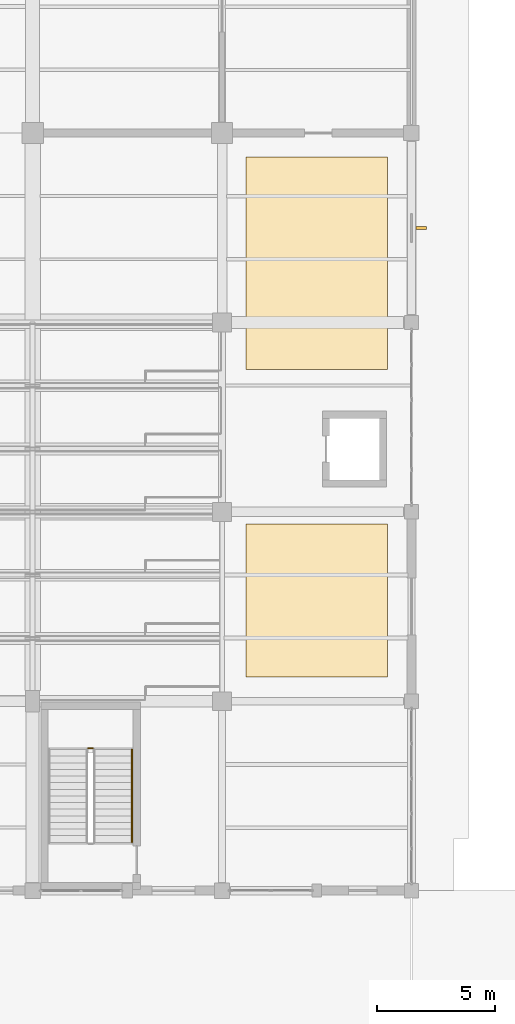
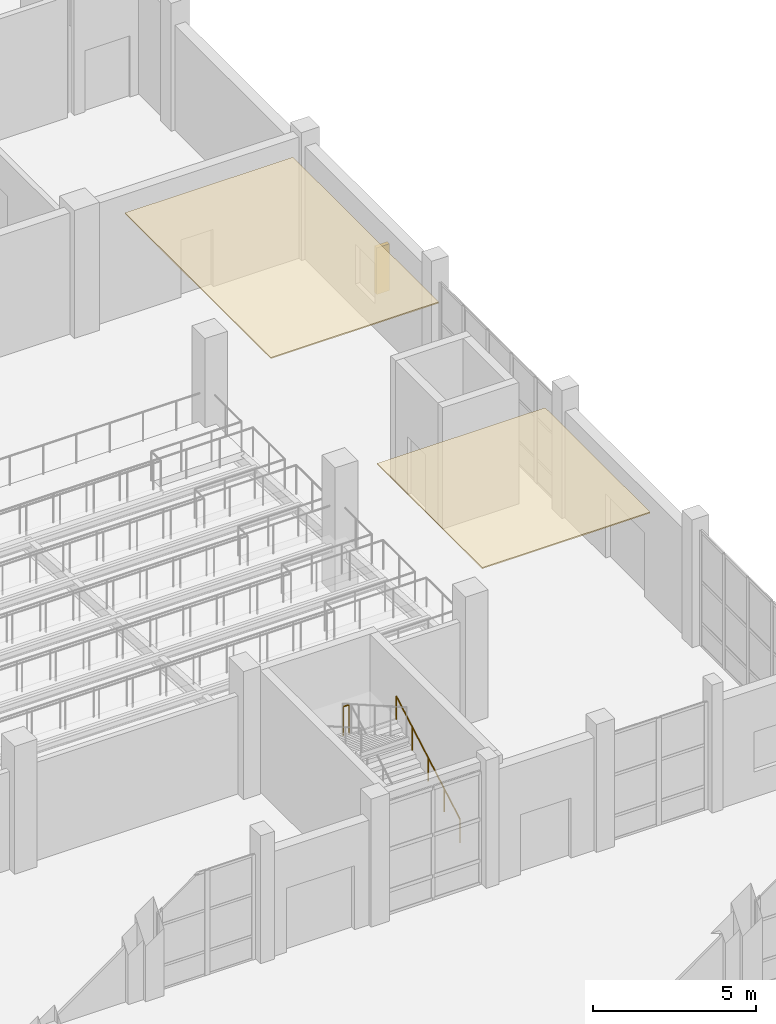
# One storey, part 141 of 156: 2 coverings, 2 railings, 1 shading device.
"""IFC4 building model written with IfcOpenShell, lengths in metres."""

from ifc_helpers import new_model, si_unit, direction, frame, origin, origin_2d, place, context, subcontext, project, spatial, polyline, rectangle, circle, outline, extrude, material, layer, layer_set, type_object, element, save


model = new_model("IFC4")

# Units and contexts
model_context = context("Model", 3, precision=1e-05, world=origin(), true_north=direction((0.0, 1.0)))
body_context = subcontext(model_context, "Body", "Model", "MODEL_VIEW")
ifc_project = project(units=[si_unit("LENGTHUNIT", "METRE"), si_unit("AREAUNIT", "SQUARE_METRE"), si_unit("VOLUMEUNIT", "CUBIC_METRE"), si_unit("PLANEANGLEUNIT", "RADIAN"), si_unit("MASSUNIT", "GRAM", prefix="KILO")], contexts=[model_context])

# Site, building, storey
site_placement = place(None, origin())
site = spatial("IfcSite", under=ifc_project, at=site_placement, CompositionType="ELEMENT")
building_placement = place(site_placement, origin())
building = spatial("IfcBuilding", under=site, at=building_placement, Name="Luwemba Playhouse", CompositionType="ELEMENT")
storey_placement = place(building_placement, origin())
storey = spatial("IfcBuildingStorey", under=building, at=storey_placement, Name="L00", CompositionType="ELEMENT", Elevation=0.0)

# Coverings
ifc_material_1 = material(Name="Perforated acoustic gypsum and timber baffle ceiling", Category="wood")
ifc_layer = layer(ifc_material_1, 0.044921875)
ifc_layer_set = layer_set([ifc_layer], Name="Perforated acoustic gypsum and timber baffle ceiling")
covering_type = type_object("IfcCoveringType", Name="COV-CEIL-AC", PredefinedType="CEILING", material=ifc_layer_set)
covering_1_placement = place(storey_placement, frame((0.0, 0.0, 4.5048828125)))
element("IfcCovering", 1, at=covering_1_placement, inside=storey, type_object=covering_type, Name="L00 Stalls Cloister Interval Bar acoustic ceiling cloud", PredefinedType="CEILING", context=body_context, shape_type="SweptSolid", body=[
    extrude(outline(polyline([(45.02001953125, 45.02001953125), (50.97998046875, 45.02001953125), (50.97998046875, 51.47998046875), (45.02001953125, 51.47998046875), (45.02001953125, 45.02001953125)])), origin(), (0.0, 0.0, 1.0), 0.045166015625),
])
covering_2_placement = place(storey_placement, frame((0.0, 0.0, 4.5048828125)))
element("IfcCovering", 2, at=covering_2_placement, inside=storey, type_object=covering_type, Name="L00 Stalls Sound Mixing Position acoustic ceiling cloud", PredefinedType="CEILING", context=body_context, shape_type="SweptSolid", body=[
    extrude(outline(polyline([(45.02001953125, 58.02001953125), (50.97998046875, 58.02001953125), (50.97998046875, 66.97998046875), (45.02001953125, 66.97998046875), (45.02001953125, 58.02001953125)])), origin(), (0.0, 0.0, 1.0), 0.045166015625),
])

# Railings
ifc_material_2 = material(Name="Painted wrought-iron gallery balustrade", Category="steel")
railing_type_1 = type_object("IfcRailingType", Name="RLG-BAL-INT", PredefinedType="BALUSTRADE", material=ifc_material_2)
railing_1_placement = place(storey_placement, frame((38.550048828125, 42.010009765625, 2.39990234375)))
element("IfcRailing", 3, at=railing_1_placement, inside=storey, type_object=railing_type_1, Name="L00 ST-02 stair guard 2", PredefinedType="BALUSTRADE", context=body_context, shape_type="SweptSolid", body=[
    extrude(circle(Radius=0.02392578125, at=origin_2d()), frame((0.0, 0.0, 1.09619140625), z_axis=(-1.0, 0.0, 0.0), x_axis=(0.0, -1.0, 0.0)), (0.0, 0.0, 1.0), 0.199951171875),
    extrude(circle(Radius=0.02099609375, at=origin_2d()), origin(), (0.0, 0.0, 1.0), 1.072021484375),
    extrude(circle(Radius=0.02099609375, at=origin_2d()), frame((-0.199951171875, 0.0, 0.0)), (0.0, 0.0, 1.0), 1.072021484375),
])
ifc_material_3 = material(Name="Hardwood and bronze handrail", Category="wood")
railing_type_2 = type_object("IfcRailingType", Name="RLG-HR-INT", PredefinedType="HANDRAIL", material=ifc_material_3)
railing_2_placement = place(storey_placement, frame((40.199951171875, 38.0400390625, 0.159912109375)))
element("IfcRailing", 4, at=railing_2_placement, inside=storey, type_object=railing_type_2, Name="L00 ST-02 stair handrail 1", PredefinedType="HANDRAIL", context=body_context, shape_type="SweptSolid", body=[
    extrude(circle(Radius=0.02392578125, at=origin_2d()), frame((0.0, 0.0, 0.8759765625), z_axis=(0.0, 0.868239814368, 0.496144761885), x_axis=(-1.0, 0.0, 0.0)), (0.0, 0.0, 1.0), 4.514892578125),
    extrude(circle(Radius=0.02099609375, at=origin_2d()), origin(), (0.0, 0.0, 1.0), 0.851806640625),
    extrude(circle(Radius=0.02099609375, at=origin_2d()), frame((0.0, 0.97998046875, 0.56005859375)), (0.0, 0.0, 1.0), 0.851806640625),
    extrude(circle(Radius=0.02099609375, at=origin_2d()), frame((0.0, 1.9599609375, 1.1201171875)), (0.0, 0.0, 1.0), 0.851806640625),
    extrude(circle(Radius=0.02099609375, at=origin_2d()), frame((0.0, 2.93994140625, 1.679931640625)), (0.0, 0.0, 1.0), 0.851806640625),
    extrude(circle(Radius=0.02099609375, at=origin_2d()), frame((0.0, 3.919921875, 2.239990234375)), (0.0, 0.0, 1.0), 0.851806640625),
])

# Shading device
ifc_material_4 = material(Name="Extruded terracotta brise-soleil fin on steel bracket", Category="masonry")
shading_device_type = type_object("IfcShadingDeviceType", Name="SHD-BRISE", PredefinedType="USERDEFINED", material=ifc_material_4)
shading_device_placement = place(storey_placement, frame((52.409912109375, 63.987548828125, 0.824951171875), z_axis=(0.0, 0.0, 1.0), x_axis=(0.0, -1.0, 0.0)))
element("IfcShadingDevice", 5, at=shading_device_placement, inside=storey, type_object=shading_device_type, Name="L00 terracotta brise-soleil fin 003", ObjectType="TERRACOTTA BRISE SOLEIL", PredefinedType="USERDEFINED", context=body_context, shape_type="SweptSolid", body=[
    extrude(rectangle(XDim=0.139892578125, YDim=0.449951171875, at=origin_2d()), origin(), (0.0, 0.0, 1.0), 1.75),
])

save(model, "model.ifc")
